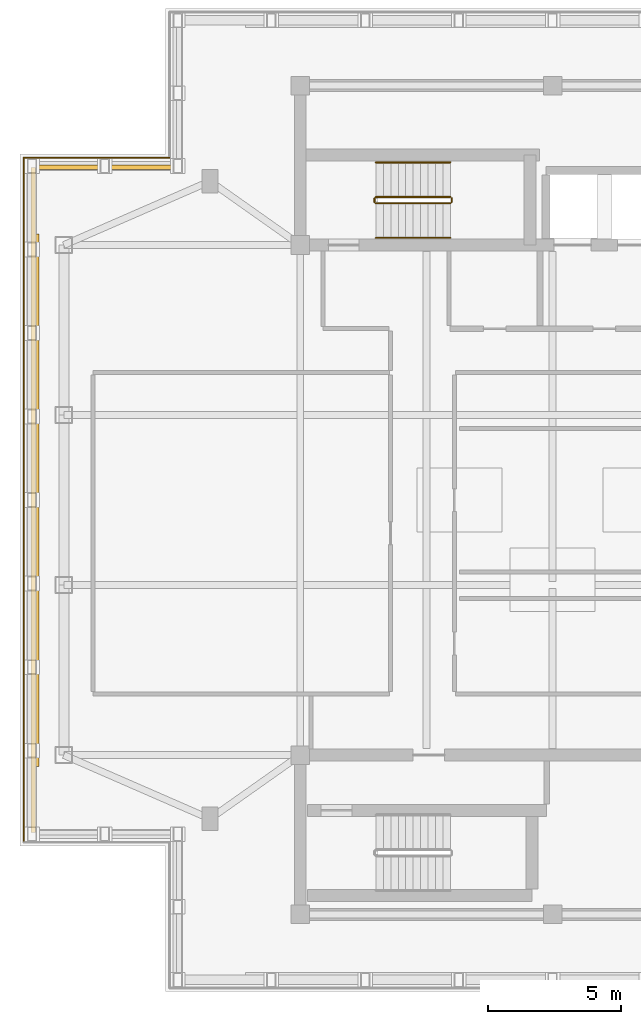
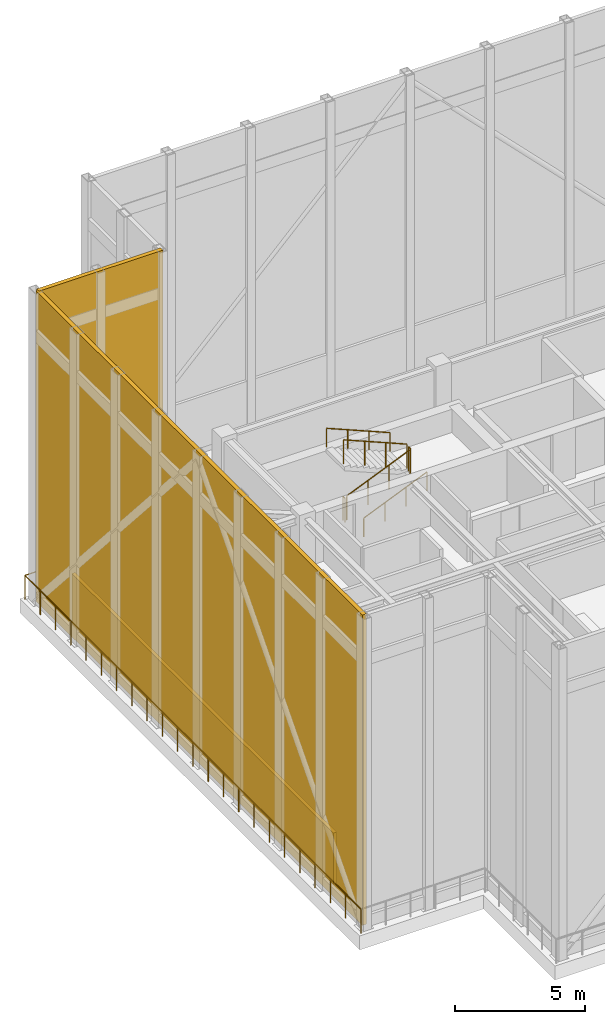
# One storey, part 7 of 8: 8 railings, 3 shading devices.
"""IFC4 building model written with IfcOpenShell, lengths in metres."""

from ifc_helpers import new_model, si_unit, direction, frame, frame_2d, origin, origin_2d, place, context, subcontext, project, spatial, rectangle, circle, extrude, material, layer, layer_set, type_object, element, save


model = new_model("IFC4")

# Units and contexts
model_context = context("Model", 3, precision=1e-05, world=origin(), true_north=direction((0.0, 1.0)))
body_context = subcontext(model_context, "Body", "Model", "MODEL_VIEW")
ifc_project = project(units=[si_unit("LENGTHUNIT", "METRE"), si_unit("AREAUNIT", "SQUARE_METRE"), si_unit("VOLUMEUNIT", "CUBIC_METRE"), si_unit("PLANEANGLEUNIT", "RADIAN"), si_unit("MASSUNIT", "GRAM", prefix="KILO")], contexts=[model_context])

# Site, building, storey
site_placement = place(None, origin())
site = spatial("IfcSite", under=ifc_project, at=site_placement, CompositionType="ELEMENT")
building_placement = place(site_placement, origin())
building = spatial("IfcBuilding", under=site, at=building_placement, Name="Mirazonda Arch Towers", CompositionType="ELEMENT")
storey_placement = place(building_placement, frame((0.0, 0.0, 263.5)))
storey = spatial("IfcBuildingStorey", under=building, at=storey_placement, Name="L75", CompositionType="ELEMENT", Elevation=263.5)

# Railings
ifc_material_1 = material(Name="Architectural Brushed Steel S355", Category="steel")
railing_type_1 = type_object("IfcRailingType", Name="GUARD-EXT-1150", PredefinedType="GUARDRAIL", material=ifc_material_1)
railing_1_placement = place(storey_placement, frame((6.074951171875, 40.885009765625, 0.0)))
element("IfcRailing", 1, at=railing_1_placement, inside=storey, type_object=railing_type_1, Name="L75 L75 Crown Plant Deck Perimeter Guard 09", PredefinedType="GUARDRAIL", context=body_context, shape_type="SweptSolid", body=[
    extrude(circle(Radius=0.02392578125, at=origin_2d()), frame((0.0, 0.0, 1.1259765625), z_axis=(-1.0, 0.0, 0.0), x_axis=(0.0, -1.0, 0.0)), (0.0, 0.0, 1.0), 5.48486328125),
    extrude(circle(Radius=0.02099609375, at=origin_2d()), origin(), (0.0, 0.0, 1.0), 1.101806640625),
    extrude(circle(Radius=0.02099609375, at=origin_2d()), frame((-1.096923828125, 0.0, 0.0)), (0.0, 0.0, 1.0), 1.101806640625),
    extrude(circle(Radius=0.02099609375, at=origin_2d()), frame((-2.19384765625, 0.0, 0.0)), (0.0, 0.0, 1.0), 1.101806640625),
    extrude(circle(Radius=0.02099609375, at=origin_2d()), frame((-3.291015625, 0.0, 0.0)), (0.0, 0.0, 1.0), 1.101806640625),
    extrude(circle(Radius=0.02099609375, at=origin_2d()), frame((-4.387939453125, 0.0, 0.0)), (0.0, 0.0, 1.0), 1.101806640625),
    extrude(circle(Radius=0.02099609375, at=origin_2d()), frame((-5.48486328125, 0.0, 0.0)), (0.0, 0.0, 1.0), 1.101806640625),
])
railing_2_placement = place(storey_placement, frame((0.590087890625, 40.885009765625, 0.0)))
element("IfcRailing", 2, at=railing_2_placement, inside=storey, type_object=railing_type_1, Name="L75 L75 Crown Plant Deck Perimeter Guard 10", PredefinedType="GUARDRAIL", context=body_context, shape_type="SweptSolid", body=[
    extrude(circle(Radius=0.02392578125, at=origin_2d()), frame((0.0, 0.0, 1.1259765625), z_axis=(0.0, -1.0, 0.0), x_axis=(1.0, 0.0, 0.0)), (0.0, 0.0, 1.0), 25.77001953125),
    extrude(circle(Radius=0.02099609375, at=origin_2d()), origin(), (0.0, 0.0, 1.0), 1.101806640625),
    extrude(circle(Radius=0.02099609375, at=origin_2d()), frame((0.0, -1.17138671875, 0.0)), (0.0, 0.0, 1.0), 1.101806640625),
    extrude(circle(Radius=0.02099609375, at=origin_2d()), frame((0.0, -2.3427734375, 0.0)), (0.0, 0.0, 1.0), 1.101806640625),
    extrude(circle(Radius=0.02099609375, at=origin_2d()), frame((0.0, -3.51416015625, 0.0)), (0.0, 0.0, 1.0), 1.101806640625),
    extrude(circle(Radius=0.02099609375, at=origin_2d()), frame((0.0, -4.685546875, 0.0)), (0.0, 0.0, 1.0), 1.101806640625),
    extrude(circle(Radius=0.02099609375, at=origin_2d()), frame((0.0, -5.85693359375, 0.0)), (0.0, 0.0, 1.0), 1.101806640625),
    extrude(circle(Radius=0.02099609375, at=origin_2d()), frame((0.0, -7.028076171875, 0.0)), (0.0, 0.0, 1.0), 1.101806640625),
    extrude(circle(Radius=0.02099609375, at=origin_2d()), frame((0.0, -8.199462890625, 0.0)), (0.0, 0.0, 1.0), 1.101806640625),
    extrude(circle(Radius=0.02099609375, at=origin_2d()), frame((0.0, -9.370849609375, 0.0)), (0.0, 0.0, 1.0), 1.101806640625),
    extrude(circle(Radius=0.02099609375, at=origin_2d()), frame((0.0, -10.542236328125, 0.0)), (0.0, 0.0, 1.0), 1.101806640625),
    extrude(circle(Radius=0.02099609375, at=origin_2d()), frame((0.0, -11.713623046875, 0.0)), (0.0, 0.0, 1.0), 1.101806640625),
    extrude(circle(Radius=0.02099609375, at=origin_2d()), frame((0.0, -12.885009765625, 0.0)), (0.0, 0.0, 1.0), 1.101806640625),
    extrude(circle(Radius=0.02099609375, at=origin_2d()), frame((0.0, -14.056396484375, 0.0)), (0.0, 0.0, 1.0), 1.101806640625),
    extrude(circle(Radius=0.02099609375, at=origin_2d()), frame((0.0, -15.227783203125, 0.0)), (0.0, 0.0, 1.0), 1.101806640625),
    extrude(circle(Radius=0.02099609375, at=origin_2d()), frame((0.0, -16.399169921875, 0.0)), (0.0, 0.0, 1.0), 1.101806640625),
    extrude(circle(Radius=0.02099609375, at=origin_2d()), frame((0.0, -17.570556640625, 0.0)), (0.0, 0.0, 1.0), 1.101806640625),
    extrude(circle(Radius=0.02099609375, at=origin_2d()), frame((0.0, -18.741943359375, 0.0)), (0.0, 0.0, 1.0), 1.101806640625),
    extrude(circle(Radius=0.02099609375, at=origin_2d()), frame((0.0, -19.9130859375, 0.0)), (0.0, 0.0, 1.0), 1.101806640625),
    extrude(circle(Radius=0.02099609375, at=origin_2d()), frame((0.0, -21.08447265625, 0.0)), (0.0, 0.0, 1.0), 1.101806640625),
    extrude(circle(Radius=0.02099609375, at=origin_2d()), frame((0.0, -22.255859375, 0.0)), (0.0, 0.0, 1.0), 1.101806640625),
    extrude(circle(Radius=0.02099609375, at=origin_2d()), frame((0.0, -23.42724609375, 0.0)), (0.0, 0.0, 1.0), 1.101806640625),
    extrude(circle(Radius=0.02099609375, at=origin_2d()), frame((0.0, -24.5986328125, 0.0)), (0.0, 0.0, 1.0), 1.101806640625),
    extrude(circle(Radius=0.02099609375, at=origin_2d()), frame((0.0, -25.77001953125, 0.0)), (0.0, 0.0, 1.0), 1.101806640625),
])
railing_type_2 = type_object("IfcRailingType", Name="GUARD-STAIR-1120", PredefinedType="GUARDRAIL", material=ifc_material_1)
railing_3_placement = place(storey_placement, frame((13.85009765625, 39.169921875, 0.1181640625)))
element("IfcRailing", 3, at=railing_3_placement, inside=storey, type_object=railing_type_2, Name="L75 ST-T1N stair guard 1", PredefinedType="GUARDRAIL", context=body_context, shape_type="SweptSolid", body=[
    extrude(circle(Radius=0.02392578125, at=origin_2d()), frame((0.0, 0.0, 1.1259765625), z_axis=(0.921279625293, 0.0, 0.388900825431), x_axis=(0.0, 1.0, 0.0)), (0.0, 0.0, 1.0), 3.0390625),
    extrude(circle(Radius=0.02099609375, at=origin_2d()), origin(), (0.0, 0.0, 1.0), 1.101806640625),
    extrude(circle(Radius=0.02099609375, at=origin_2d()), frame((0.933349609375, 0.0, 0.39404296875)), (0.0, 0.0, 1.0), 1.101806640625),
    extrude(circle(Radius=0.02099609375, at=origin_2d()), frame((1.866455078125, 0.0, 0.787841796875)), (0.0, 0.0, 1.0), 1.101806640625),
    extrude(circle(Radius=0.02099609375, at=origin_2d()), frame((2.7998046875, 0.0, 1.181884765625)), (0.0, 0.0, 1.0), 1.101806640625),
])
railing_4_placement = place(storey_placement, frame((16.699951171875, 39.219970703125, 1.300048828125)))
element("IfcRailing", 4, at=railing_4_placement, inside=storey, type_object=railing_type_2, Name="L75 ST-T1N stair guard 2", PredefinedType="GUARDRAIL", context=body_context, shape_type="SweptSolid", body=[
    extrude(circle(Radius=0.02392578125, at=origin_2d()), frame((0.0, 0.0, 1.1259765625), z_axis=(0.0, 1.0, 0.0), x_axis=(-1.0, 0.0, 0.0)), (0.0, 0.0, 1.0), 0.14013671875),
    extrude(circle(Radius=0.02099609375, at=origin_2d()), origin(), (0.0, 0.0, 1.0), 1.101806640625),
    extrude(circle(Radius=0.02099609375, at=origin_2d()), frame((0.0, 0.14013671875, 0.0)), (0.0, 0.0, 1.0), 1.101806640625),
])
railing_5_placement = place(storey_placement, frame((16.64990234375, 39.409912109375, 1.418212890625)))
element("IfcRailing", 5, at=railing_5_placement, inside=storey, type_object=railing_type_2, Name="L75 ST-T1N stair guard 3", PredefinedType="GUARDRAIL", context=body_context, shape_type="SweptSolid", body=[
    extrude(circle(Radius=0.02392578125, at=origin_2d()), frame((0.0, 0.0, 1.1259765625), z_axis=(-0.921279625293, 0.0, 0.388900825431), x_axis=(0.0, -1.0, 0.0)), (0.0, 0.0, 1.0), 3.0390625),
    extrude(circle(Radius=0.02099609375, at=origin_2d()), origin(), (0.0, 0.0, 1.0), 1.101806640625),
    extrude(circle(Radius=0.02099609375, at=origin_2d()), frame((-0.933349609375, 0.0, 0.39404296875)), (0.0, 0.0, 1.0), 1.101806640625),
    extrude(circle(Radius=0.02099609375, at=origin_2d()), frame((-1.866455078125, 0.0, 0.787841796875)), (0.0, 0.0, 1.0), 1.101806640625),
    extrude(circle(Radius=0.02099609375, at=origin_2d()), frame((-2.7998046875, 0.0, 1.181884765625)), (0.0, 0.0, 1.0), 1.101806640625),
])
railing_6_placement = place(storey_placement, frame((13.800048828125, 39.219970703125, 0.0)))
element("IfcRailing", 6, at=railing_6_placement, inside=storey, type_object=railing_type_2, Name="L75 ST-T1N stair guard 4", PredefinedType="GUARDRAIL", context=body_context, shape_type="SweptSolid", body=[
    extrude(circle(Radius=0.02392578125, at=origin_2d()), frame((0.0, 0.0, 1.1259765625), z_axis=(0.0, 1.0, 0.0), x_axis=(-1.0, 0.0, 0.0)), (0.0, 0.0, 1.0), 0.14013671875),
    extrude(circle(Radius=0.02099609375, at=origin_2d()), origin(), (0.0, 0.0, 1.0), 1.101806640625),
    extrude(circle(Radius=0.02099609375, at=origin_2d()), frame((0.0, 0.14013671875, 0.0)), (0.0, 0.0, 1.0), 1.101806640625),
])
railing_type_3 = type_object("IfcRailingType", Name="HANDRAIL-915", PredefinedType="HANDRAIL", material=ifc_material_1)
railing_7_placement = place(storey_placement, frame((13.85009765625, 37.8701171875, 0.1181640625)))
element("IfcRailing", 7, at=railing_7_placement, inside=storey, type_object=railing_type_3, Name="L75 ST-T1N stair handrail 1", PredefinedType="HANDRAIL", context=body_context, shape_type="SweptSolid", body=[
    extrude(circle(Radius=0.02392578125, at=origin_2d()), frame((0.0, 0.0, 0.8759765625), z_axis=(0.921279625293, 0.0, 0.388900825431), x_axis=(0.0, 1.0, 0.0)), (0.0, 0.0, 1.0), 3.0390625),
    extrude(circle(Radius=0.02099609375, at=origin_2d()), origin(), (0.0, 0.0, 1.0), 0.851806640625),
    extrude(circle(Radius=0.02099609375, at=origin_2d()), frame((0.933349609375, 0.0, 0.39404296875)), (0.0, 0.0, 1.0), 0.851806640625),
    extrude(circle(Radius=0.02099609375, at=origin_2d()), frame((1.866455078125, 0.0, 0.787841796875)), (0.0, 0.0, 1.0), 0.851806640625),
    extrude(circle(Radius=0.02099609375, at=origin_2d()), frame((2.7998046875, 0.0, 1.181884765625)), (0.0, 0.0, 1.0), 0.851806640625),
])
railing_8_placement = place(storey_placement, frame((16.64990234375, 40.7099609375, 1.418212890625)))
element("IfcRailing", 8, at=railing_8_placement, inside=storey, type_object=railing_type_3, Name="L75 ST-T1N stair handrail 2", PredefinedType="HANDRAIL", context=body_context, shape_type="SweptSolid", body=[
    extrude(circle(Radius=0.02392578125, at=origin_2d()), frame((0.0, 0.0, 0.8759765625), z_axis=(-0.921279625293, 0.0, 0.388900825431), x_axis=(0.0, -1.0, 0.0)), (0.0, 0.0, 1.0), 3.0390625),
    extrude(circle(Radius=0.02099609375, at=origin_2d()), origin(), (0.0, 0.0, 1.0), 0.851806640625),
    extrude(circle(Radius=0.02099609375, at=origin_2d()), frame((-0.933349609375, 0.0, 0.39404296875)), (0.0, 0.0, 1.0), 0.851806640625),
    extrude(circle(Radius=0.02099609375, at=origin_2d()), frame((-1.866455078125, 0.0, 0.787841796875)), (0.0, 0.0, 1.0), 0.851806640625),
    extrude(circle(Radius=0.02099609375, at=origin_2d()), frame((-2.7998046875, 0.0, 1.181884765625)), (0.0, 0.0, 1.0), 0.851806640625),
])

# Shading devices
ifc_material_2 = material(Name="Anodised Aluminium Alloy", Category="aluminium")
ifc_layer_1 = layer(ifc_material_2, 0.14990234375, Name="LOUVRE-PLANT")
ifc_layer_set_1 = layer_set([ifc_layer_1], Name="Anodised Aluminium Alloy")
shading_device_type_1 = type_object("IfcShadingDeviceType", Name="LOUVRE-PLANT", PredefinedType="JALOUSIE", material=ifc_layer_set_1)
shading_device_1_placement = place(storey_placement, frame((1.090087890625, 38.02490234375, 0.39990234375), z_axis=(0.0, 0.0, 1.0), x_axis=(0.0, -1.0, 0.0)))
element("IfcShadingDevice", 9, at=shading_device_1_placement, inside=storey, type_object=shading_device_type_1, Name="T1 Crown Plant Intake Acoustic Louvre E10", PredefinedType="JALOUSIE", context=body_context, shape_type="SweptSolid", body=[
    extrude(rectangle(XDim=20.0498046875, YDim=0.14990234375, at=frame_2d((10.02490234375, 0.0))), origin(), (0.0, 0.0, 1.0), 2.400146484375),
])
ifc_material_3 = material(Name="Kiln-Fired Architectural Terracotta", Category="masonry")
ifc_layer_2 = layer(ifc_material_3, 0.179931640625, Name="SCREEN-CROWN")
ifc_layer_set_2 = layer_set([ifc_layer_2], Name="Kiln-Fired Architectural Terracotta")
shading_device_type_2 = type_object("IfcShadingDeviceType", Name="SCREEN-CROWN", PredefinedType="SHUTTER", material=ifc_layer_set_2)
shading_device_2_placement = place(storey_placement, frame((6.43505859375, 40.52490234375, 0.050048828125), z_axis=(0.0, 0.0, 1.0), x_axis=(-1.0, 0.0, 0.0)))
element("IfcShadingDevice", 10, at=shading_device_2_placement, inside=storey, type_object=shading_device_type_2, Name="T1 Constructivist Ring Crown Terracotta Screen E09", PredefinedType="SHUTTER", context=body_context, shape_type="SweptSolid", body=[
    extrude(rectangle(XDim=5.485107421875, YDim=0.179931640625, at=frame_2d((2.74267578125, 0.0))), origin(), (0.0, 0.0, 1.0), 14.530029296875),
])
shading_device_3_placement = place(storey_placement, frame((0.949951171875, 40.52490234375, 0.050048828125), z_axis=(0.0, 0.0, 1.0), x_axis=(0.0, -1.0, 0.0)))
element("IfcShadingDevice", 11, at=shading_device_3_placement, inside=storey, type_object=shading_device_type_2, Name="T1 Constructivist Ring Crown Terracotta Screen E10", PredefinedType="SHUTTER", context=body_context, shape_type="SweptSolid", body=[
    extrude(rectangle(XDim=25.0498046875, YDim=0.179931640625, at=frame_2d((12.52490234375, 0.0))), origin(), (0.0, 0.0, 1.0), 14.530029296875),
])

save(model, "model.ifc")
